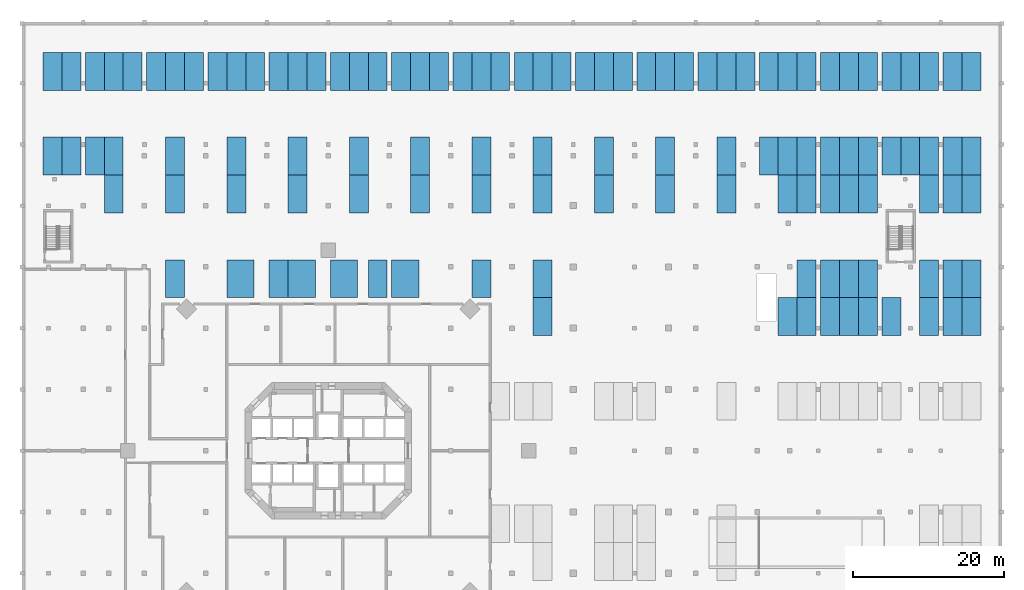
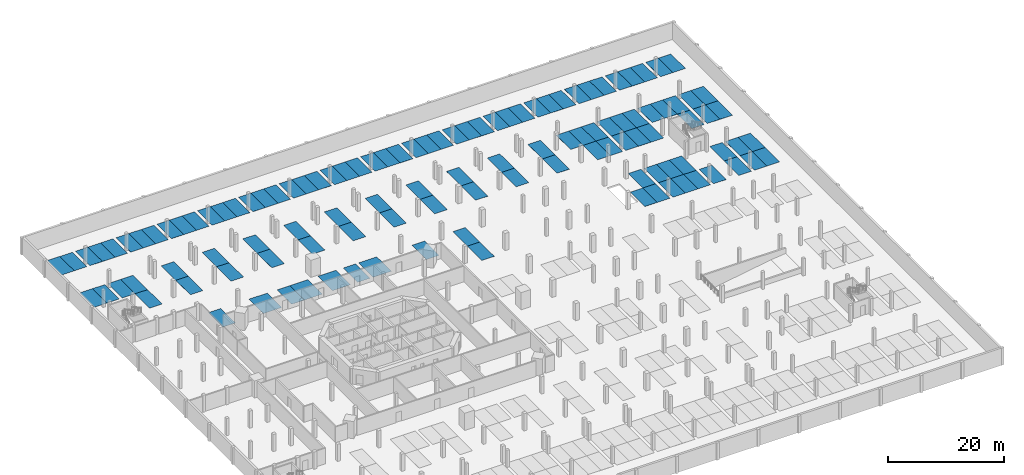
# One storey, part 13 of 14: 116 discrete accessories.
"""IFC4 building model written with IfcOpenShell, lengths in metres."""

from ifc_helpers import new_model, si_unit, direction, frame, origin, origin_2d, place, context, subcontext, project, spatial, rectangle, extrude, element, save


model = new_model("IFC4")

# Units and contexts
model_context = context("Model", 3, precision=1e-05, world=origin(), true_north=direction((0.0, 1.0)))
body_context = subcontext(model_context, "Body", "Model", "MODEL_VIEW")
ifc_project = project(units=[si_unit("LENGTHUNIT", "METRE"), si_unit("AREAUNIT", "SQUARE_METRE"), si_unit("VOLUMEUNIT", "CUBIC_METRE"), si_unit("PLANEANGLEUNIT", "RADIAN"), si_unit("MASSUNIT", "GRAM", prefix="KILO")], contexts=[model_context])

# Site, building, storey
site_placement = place(None, origin())
site = spatial("IfcSite", under=ifc_project, at=site_placement, CompositionType="ELEMENT")
building_placement = place(site_placement, origin())
building = spatial("IfcBuilding", under=site, at=building_placement, Name="Torre Triforio", CompositionType="ELEMENT")
storey_placement = place(building_placement, frame((0.0, 0.0, -7.199951171875)))
storey = spatial("IfcBuildingStorey", under=building, at=storey_placement, Name="B2", CompositionType="ELEMENT", Elevation=-7.199951171875)

# Discrete accessories
discrete_accessory_1_placement = place(storey_placement, frame((-20.25, 22.75, 0.0), z_axis=(0.0, 0.0, 1.0), x_axis=(1.0, 0.0, 0.0)))
element("IfcDiscreteAccessory", 1, at=discrete_accessory_1_placement, inside=storey, Name="Parking bay marking B2-E-01", PredefinedType="NOTDEFINED", context=body_context, shape_type="SweptSolid", body=[
    extrude(rectangle(XDim=2.5, YDim=5.0, at=origin_2d()), origin(), (0.0, 0.0, 1.0), 0.0048828125),
])
discrete_accessory_2_placement = place(storey_placement, frame((-11.60009765625, 22.75, 0.0), z_axis=(0.0, 0.0, 1.0), x_axis=(1.0, 0.0, 0.0)))
element("IfcDiscreteAccessory", 2, at=discrete_accessory_2_placement, inside=storey, Name="Accessible parking bay marking B2-E-02", PredefinedType="NOTDEFINED", context=body_context, shape_type="SweptSolid", body=[
    extrude(rectangle(XDim=3.60009765625, YDim=5.0, at=origin_2d()), origin(), (0.0, 0.0, 1.0), 0.0048828125),
])
for number, where, z_axis, x_axis, name in (
    (3, (-28.35009765625, 33.949951171875, 0.0), (0.0, 0.0, 1.0), (1.0, 0.0, 0.0), "Parking bay marking B2-E-03"),
    (4, (-20.25, 33.949951171875, 0.0), (0.0, 0.0, 1.0), (1.0, 0.0, 0.0), "Parking bay marking B2-E-04"),
    (5, (-12.14990234375, 33.949951171875, 0.0), (0.0, 0.0, 1.0), (1.0, 0.0, 0.0), "Parking bay marking B2-E-05"),
    (6, (-36.449951171875, 38.949951171875, 0.0), (0.0, 0.0, 1.0), (1.0, 0.0, 0.0), "Parking bay marking B2-E-06"),
    (7, (-33.949951171875, 38.949951171875, 0.0), (0.0, 0.0, 1.0), (1.0, 0.0, 0.0), "Parking bay marking B2-E-07"),
    (8, (-30.85009765625, 38.949951171875, 0.0), (0.0, 0.0, 1.0), (1.0, 0.0, 0.0), "Parking bay marking B2-E-08"),
    (9, (-28.35009765625, 38.949951171875, 0.0), (0.0, 0.0, 1.0), (1.0, 0.0, 0.0), "Parking bay marking B2-E-09"),
    (10, (-20.25, 38.949951171875, 0.0), (0.0, 0.0, 1.0), (1.0, 0.0, 0.0), "Parking bay marking B2-E-10"),
    (11, (-12.14990234375, 38.949951171875, 0.0), (0.0, 0.0, 1.0), (1.0, 0.0, 0.0), "Parking bay marking B2-E-11"),
    (12, (-36.449951171875, 50.14990234375, 0.0), (0.0, 0.0, 1.0), (1.0, 0.0, 0.0), "Parking bay marking B2-E-12"),
    (13, (-33.949951171875, 50.14990234375, 0.0), (0.0, 0.0, 1.0), (1.0, 0.0, 0.0), "Parking bay marking B2-E-13"),
    (14, (-30.85009765625, 50.14990234375, 0.0), (0.0, 0.0, 1.0), (1.0, 0.0, 0.0), "Parking bay marking B2-E-14"),
    (15, (-28.35009765625, 50.14990234375, 0.0), (0.0, 0.0, 1.0), (1.0, 0.0, 0.0), "Parking bay marking B2-E-15"),
    (16, (-25.85009765625, 50.14990234375, 0.0), (0.0, 0.0, 1.0), (1.0, 0.0, 0.0), "Parking bay marking B2-E-16"),
    (17, (-22.75, 50.14990234375, 0.0), (0.0, 0.0, 1.0), (1.0, 0.0, 0.0), "Parking bay marking B2-E-17"),
    (18, (-20.25, 50.14990234375, 0.0), (0.0, 0.0, 1.0), (1.0, 0.0, 0.0), "Parking bay marking B2-E-18"),
    (19, (-17.75, 50.14990234375, 0.0), (0.0, 0.0, 1.0), (1.0, 0.0, 0.0), "Parking bay marking B2-E-19"),
    (20, (-14.64990234375, 50.14990234375, 0.0), (0.0, 0.0, 1.0), (1.0, 0.0, 0.0), "Parking bay marking B2-E-20"),
    (21, (-12.14990234375, 50.14990234375, 0.0), (0.0, 0.0, 1.0), (1.0, 0.0, 0.0), "Parking bay marking B2-E-21"),
    (22, (-9.64990234375, 50.14990234375, 0.0), (0.0, 0.0, 1.0), (1.0, 0.0, 0.0), "Parking bay marking B2-E-22"),
    (23, (-6.550048828125, 22.75, 0.0), (0.0, 0.0, 1.0), (1.0, 0.0, 0.0), "Parking bay marking B2-F-02"),
):
    element("IfcDiscreteAccessory", number, at=place(storey_placement, frame(where, z_axis=z_axis, x_axis=x_axis)), inside=storey, Name=name, PredefinedType="NOTDEFINED", context=body_context, shape_type="SweptSolid", body=[
        extrude(rectangle(XDim=2.5, YDim=5.0, at=origin_2d()), origin(), (0.0, 0.0, 1.0), 0.0048828125),
    ])
for number, where, z_axis, x_axis, name in (
    (24, (-3.5, 22.75, 0.0), (0.0, 0.0, 1.0), (1.0, 0.0, 0.0), "Accessible parking bay marking B2-F-03"),
    (25, (2.10009765625, 22.75, 0.0), (0.0, 0.0, 1.0), (1.0, 0.0, 0.0), "Accessible parking bay marking B2-F-04"),
):
    element("IfcDiscreteAccessory", number, at=place(storey_placement, frame(where, z_axis=z_axis, x_axis=x_axis)), inside=storey, Name=name, PredefinedType="NOTDEFINED", context=body_context, shape_type="SweptSolid", body=[
        extrude(rectangle(XDim=3.60009765625, YDim=5.0, at=origin_2d()), origin(), (0.0, 0.0, 1.0), 0.0048828125),
    ])
discrete_accessory_3_placement = place(storey_placement, frame((6.550048828125, 22.75, 0.0), z_axis=(0.0, 0.0, 1.0), x_axis=(1.0, 0.0, 0.0)))
element("IfcDiscreteAccessory", 26, at=discrete_accessory_3_placement, inside=storey, Name="Parking bay marking B2-F-05", PredefinedType="NOTDEFINED", context=body_context, shape_type="SweptSolid", body=[
    extrude(rectangle(XDim=2.5, YDim=5.0, at=origin_2d()), origin(), (0.0, 0.0, 1.0), 0.0048828125),
])
discrete_accessory_4_placement = place(storey_placement, frame((10.199951171875, 22.75, 0.0), z_axis=(0.0, 0.0, 1.0), x_axis=(1.0, 0.0, 0.0)))
element("IfcDiscreteAccessory", 27, at=discrete_accessory_4_placement, inside=storey, Name="Accessible parking bay marking B2-F-06", PredefinedType="NOTDEFINED", context=body_context, shape_type="SweptSolid", body=[
    extrude(rectangle(XDim=3.60009765625, YDim=5.0, at=origin_2d()), origin(), (0.0, 0.0, 1.0), 0.0048828125),
])
for number, where, z_axis, x_axis, name in (
    (28, (20.25, 22.75, 0.0), (0.0, 0.0, 1.0), (1.0, 0.0, 0.0), "Parking bay marking B2-F-07"),
    (29, (-4.050048828125, 33.949951171875, 0.0), (0.0, 0.0, 1.0), (1.0, 0.0, 0.0), "Parking bay marking B2-F-08"),
    (30, (4.050048828125, 33.949951171875, 0.0), (0.0, 0.0, 1.0), (1.0, 0.0, 0.0), "Parking bay marking B2-F-09"),
    (31, (12.14990234375, 33.949951171875, 0.0), (0.0, 0.0, 1.0), (1.0, 0.0, 0.0), "Parking bay marking B2-F-10"),
    (32, (20.25, 33.949951171875, 0.0), (0.0, 0.0, 1.0), (1.0, 0.0, 0.0), "Parking bay marking B2-F-11"),
    (33, (-4.050048828125, 38.949951171875, 0.0), (0.0, 0.0, 1.0), (1.0, 0.0, 0.0), "Parking bay marking B2-F-12"),
    (34, (4.050048828125, 38.949951171875, 0.0), (0.0, 0.0, 1.0), (1.0, 0.0, 0.0), "Parking bay marking B2-F-13"),
    (35, (12.14990234375, 38.949951171875, 0.0), (0.0, 0.0, 1.0), (1.0, 0.0, 0.0), "Parking bay marking B2-F-14"),
    (36, (20.25, 38.949951171875, 0.0), (0.0, 0.0, 1.0), (1.0, 0.0, 0.0), "Parking bay marking B2-F-15"),
    (37, (-6.550048828125, 50.14990234375, 0.0), (0.0, 0.0, 1.0), (1.0, 0.0, 0.0), "Parking bay marking B2-F-16"),
    (38, (-4.050048828125, 50.14990234375, 0.0), (0.0, 0.0, 1.0), (1.0, 0.0, 0.0), "Parking bay marking B2-F-17"),
    (39, (-1.550048828125, 50.14990234375, 0.0), (0.0, 0.0, 1.0), (1.0, 0.0, 0.0), "Parking bay marking B2-F-18"),
    (40, (1.550048828125, 50.14990234375, 0.0), (0.0, 0.0, 1.0), (1.0, 0.0, 0.0), "Parking bay marking B2-F-19"),
    (41, (4.050048828125, 50.14990234375, 0.0), (0.0, 0.0, 1.0), (1.0, 0.0, 0.0), "Parking bay marking B2-F-20"),
    (42, (6.550048828125, 50.14990234375, 0.0), (0.0, 0.0, 1.0), (1.0, 0.0, 0.0), "Parking bay marking B2-F-21"),
    (43, (9.64990234375, 50.14990234375, 0.0), (0.0, 0.0, 1.0), (1.0, 0.0, 0.0), "Parking bay marking B2-F-22"),
    (44, (12.14990234375, 50.14990234375, 0.0), (0.0, 0.0, 1.0), (1.0, 0.0, 0.0), "Parking bay marking B2-F-23"),
    (45, (14.64990234375, 50.14990234375, 0.0), (0.0, 0.0, 1.0), (1.0, 0.0, 0.0), "Parking bay marking B2-F-24"),
    (46, (17.75, 50.14990234375, 0.0), (0.0, 0.0, 1.0), (1.0, 0.0, 0.0), "Parking bay marking B2-F-25"),
    (47, (20.25, 50.14990234375, 0.0), (0.0, 0.0, 1.0), (1.0, 0.0, 0.0), "Parking bay marking B2-F-26"),
    (48, (22.75, 50.14990234375, 0.0), (0.0, 0.0, 1.0), (1.0, 0.0, 0.0), "Parking bay marking B2-F-27"),
    (49, (28.35009765625, 17.75, 0.0), (0.0, 0.0, 1.0), (1.0, 0.0, 0.0), "Parking bay marking B2-G-07"),
    (50, (28.35009765625, 22.75, 0.0), (0.0, 0.0, 1.0), (1.0, 0.0, 0.0), "Parking bay marking B2-G-08"),
    (51, (28.35009765625, 33.949951171875, 0.0), (0.0, 0.0, 1.0), (1.0, 0.0, 0.0), "Parking bay marking B2-G-09"),
    (52, (36.449951171875, 33.949951171875, 0.0), (0.0, 0.0, 1.0), (1.0, 0.0, 0.0), "Parking bay marking B2-G-10"),
    (53, (44.550048828125, 33.949951171875, 0.0), (0.0, 0.0, 1.0), (1.0, 0.0, 0.0), "Parking bay marking B2-G-11"),
    (54, (52.64990234375, 33.949951171875, 0.0), (0.0, 0.0, 1.0), (1.0, 0.0, 0.0), "Parking bay marking B2-G-12"),
    (55, (28.35009765625, 38.949951171875, 0.0), (0.0, 0.0, 1.0), (1.0, 0.0, 0.0), "Parking bay marking B2-G-13"),
    (56, (36.449951171875, 38.949951171875, 0.0), (0.0, 0.0, 1.0), (1.0, 0.0, 0.0), "Parking bay marking B2-G-14"),
    (57, (44.550048828125, 38.949951171875, 0.0), (0.0, 0.0, 1.0), (1.0, 0.0, 0.0), "Parking bay marking B2-G-15"),
    (58, (52.64990234375, 38.949951171875, 0.0), (0.0, 0.0, 1.0), (1.0, 0.0, 0.0), "Parking bay marking B2-G-16"),
    (59, (25.85009765625, 50.14990234375, 0.0), (0.0, 0.0, 1.0), (1.0, 0.0, 0.0), "Parking bay marking B2-G-17"),
    (60, (28.35009765625, 50.14990234375, 0.0), (0.0, 0.0, 1.0), (1.0, 0.0, 0.0), "Parking bay marking B2-G-18"),
    (61, (30.85009765625, 50.14990234375, 0.0), (0.0, 0.0, 1.0), (1.0, 0.0, 0.0), "Parking bay marking B2-G-19"),
    (62, (33.949951171875, 50.14990234375, 0.0), (0.0, 0.0, 1.0), (1.0, 0.0, 0.0), "Parking bay marking B2-G-20"),
    (63, (36.449951171875, 50.14990234375, 0.0), (0.0, 0.0, 1.0), (1.0, 0.0, 0.0), "Parking bay marking B2-G-21"),
    (64, (38.949951171875, 50.14990234375, 0.0), (0.0, 0.0, 1.0), (1.0, 0.0, 0.0), "Parking bay marking B2-G-22"),
    (65, (42.050048828125, 50.14990234375, 0.0), (0.0, 0.0, 1.0), (1.0, 0.0, 0.0), "Parking bay marking B2-G-23"),
    (66, (44.550048828125, 50.14990234375, 0.0), (0.0, 0.0, 1.0), (1.0, 0.0, 0.0), "Parking bay marking B2-G-24"),
    (67, (47.050048828125, 50.14990234375, 0.0), (0.0, 0.0, 1.0), (1.0, 0.0, 0.0), "Parking bay marking B2-G-25"),
    (68, (50.14990234375, 50.14990234375, 0.0), (0.0, 0.0, 1.0), (1.0, 0.0, 0.0), "Parking bay marking B2-G-26"),
    (69, (52.64990234375, 50.14990234375, 0.0), (0.0, 0.0, 1.0), (1.0, 0.0, 0.0), "Parking bay marking B2-G-27"),
    (70, (55.14990234375, 50.14990234375, 0.0), (0.0, 0.0, 1.0), (1.0, 0.0, 0.0), "Parking bay marking B2-G-28"),
    (71, (60.75, 17.75, 0.0), (0.0, 0.0, 1.0), (1.0, 0.0, 0.0), "Parking bay marking B2-H-10"),
    (72, (63.25, 17.75, 0.0), (0.0, 0.0, 1.0), (1.0, 0.0, 0.0), "Parking bay marking B2-H-11"),
    (73, (66.35009765625, 17.75, 0.0), (0.0, 0.0, 1.0), (1.0, 0.0, 0.0), "Parking bay marking B2-H-12"),
    (74, (68.85009765625, 17.75, 0.0), (0.0, 0.0, 1.0), (1.0, 0.0, 0.0), "Parking bay marking B2-H-13"),
    (75, (71.35009765625, 17.75, 0.0), (0.0, 0.0, 1.0), (1.0, 0.0, 0.0), "Parking bay marking B2-H-14"),
    (76, (74.449951171875, 17.75, 0.0), (0.0, 0.0, 1.0), (1.0, 0.0, 0.0), "Parking bay marking B2-H-15"),
    (77, (79.449951171875, 17.75, 0.0), (0.0, 0.0, 1.0), (1.0, 0.0, 0.0), "Parking bay marking B2-H-16"),
    (78, (82.550048828125, 17.75, 0.0), (0.0, 0.0, 1.0), (1.0, 0.0, 0.0), "Parking bay marking B2-H-17"),
    (79, (85.050048828125, 17.75, 0.0), (0.0, 0.0, 1.0), (1.0, 0.0, 0.0), "Parking bay marking B2-H-18"),
    (80, (63.25, 22.75, 0.0), (0.0, 0.0, 1.0), (1.0, 0.0, 0.0), "Parking bay marking B2-H-19"),
    (81, (66.35009765625, 22.75, 0.0), (0.0, 0.0, 1.0), (1.0, 0.0, 0.0), "Parking bay marking B2-H-20"),
    (82, (68.85009765625, 22.75, 0.0), (0.0, 0.0, 1.0), (1.0, 0.0, 0.0), "Parking bay marking B2-H-21"),
    (83, (71.35009765625, 22.75, 0.0), (0.0, 0.0, 1.0), (1.0, 0.0, 0.0), "Parking bay marking B2-H-22"),
    (84, (79.449951171875, 22.75, 0.0), (0.0, 0.0, 1.0), (1.0, 0.0, 0.0), "Parking bay marking B2-H-23"),
    (85, (82.550048828125, 22.75, 0.0), (0.0, 0.0, 1.0), (1.0, 0.0, 0.0), "Parking bay marking B2-H-24"),
    (86, (85.050048828125, 22.75, 0.0), (0.0, 0.0, 1.0), (1.0, 0.0, 0.0), "Parking bay marking B2-H-25"),
    (87, (60.75, 33.949951171875, 0.0), (0.0, 0.0, 1.0), (1.0, 0.0, 0.0), "Parking bay marking B2-H-26"),
    (88, (63.25, 33.949951171875, 0.0), (0.0, 0.0, 1.0), (1.0, 0.0, 0.0), "Parking bay marking B2-H-27"),
    (89, (66.35009765625, 33.949951171875, 0.0), (0.0, 0.0, 1.0), (1.0, 0.0, 0.0), "Parking bay marking B2-H-28"),
    (90, (68.85009765625, 33.949951171875, 0.0), (0.0, 0.0, 1.0), (1.0, 0.0, 0.0), "Parking bay marking B2-H-29"),
    (91, (71.35009765625, 33.949951171875, 0.0), (0.0, 0.0, 1.0), (1.0, 0.0, 0.0), "Parking bay marking B2-H-30"),
    (92, (79.449951171875, 33.949951171875, 0.0), (0.0, 0.0, 1.0), (1.0, 0.0, 0.0), "Parking bay marking B2-H-31"),
    (93, (82.550048828125, 33.949951171875, 0.0), (0.0, 0.0, 1.0), (1.0, 0.0, 0.0), "Parking bay marking B2-H-32"),
    (94, (85.050048828125, 33.949951171875, 0.0), (0.0, 0.0, 1.0), (1.0, 0.0, 0.0), "Parking bay marking B2-H-33"),
    (95, (58.25, 38.949951171875, 0.0), (0.0, 0.0, 1.0), (1.0, 0.0, 0.0), "Parking bay marking B2-H-34"),
    (96, (60.75, 38.949951171875, 0.0), (0.0, 0.0, 1.0), (1.0, 0.0, 0.0), "Parking bay marking B2-H-35"),
    (97, (63.25, 38.949951171875, 0.0), (0.0, 0.0, 1.0), (1.0, 0.0, 0.0), "Parking bay marking B2-H-36"),
    (98, (66.35009765625, 38.949951171875, 0.0), (0.0, 0.0, 1.0), (1.0, 0.0, 0.0), "Parking bay marking B2-H-37"),
    (99, (68.85009765625, 38.949951171875, 0.0), (0.0, 0.0, 1.0), (1.0, 0.0, 0.0), "Parking bay marking B2-H-38"),
    (100, (71.35009765625, 38.949951171875, 0.0), (0.0, 0.0, 1.0), (1.0, 0.0, 0.0), "Parking bay marking B2-H-39"),
    (101, (74.449951171875, 38.949951171875, 0.0), (0.0, 0.0, 1.0), (1.0, 0.0, 0.0), "Parking bay marking B2-H-40"),
    (102, (76.949951171875, 38.949951171875, 0.0), (0.0, 0.0, 1.0), (1.0, 0.0, 0.0), "Parking bay marking B2-H-41"),
    (103, (79.449951171875, 38.949951171875, 0.0), (0.0, 0.0, 1.0), (1.0, 0.0, 0.0), "Parking bay marking B2-H-42"),
    (104, (82.550048828125, 38.949951171875, 0.0), (0.0, 0.0, 1.0), (1.0, 0.0, 0.0), "Parking bay marking B2-H-43"),
    (105, (85.050048828125, 38.949951171875, 0.0), (0.0, 0.0, 1.0), (1.0, 0.0, 0.0), "Parking bay marking B2-H-44"),
    (106, (58.25, 50.14990234375, 0.0), (0.0, 0.0, 1.0), (1.0, 0.0, 0.0), "Parking bay marking B2-H-45"),
    (107, (60.75, 50.14990234375, 0.0), (0.0, 0.0, 1.0), (1.0, 0.0, 0.0), "Parking bay marking B2-H-46"),
    (108, (63.25, 50.14990234375, 0.0), (0.0, 0.0, 1.0), (1.0, 0.0, 0.0), "Parking bay marking B2-H-47"),
    (109, (66.35009765625, 50.14990234375, 0.0), (0.0, 0.0, 1.0), (1.0, 0.0, 0.0), "Parking bay marking B2-H-48"),
    (110, (68.85009765625, 50.14990234375, 0.0), (0.0, 0.0, 1.0), (1.0, 0.0, 0.0), "Parking bay marking B2-H-49"),
    (111, (71.35009765625, 50.14990234375, 0.0), (0.0, 0.0, 1.0), (1.0, 0.0, 0.0), "Parking bay marking B2-H-50"),
    (112, (74.449951171875, 50.14990234375, 0.0), (0.0, 0.0, 1.0), (1.0, 0.0, 0.0), "Parking bay marking B2-H-51"),
    (113, (76.949951171875, 50.14990234375, 0.0), (0.0, 0.0, 1.0), (1.0, 0.0, 0.0), "Parking bay marking B2-H-52"),
    (114, (79.449951171875, 50.14990234375, 0.0), (0.0, 0.0, 1.0), (1.0, 0.0, 0.0), "Parking bay marking B2-H-53"),
    (115, (82.550048828125, 50.14990234375, 0.0), (0.0, 0.0, 1.0), (1.0, 0.0, 0.0), "Parking bay marking B2-H-54"),
    (116, (85.050048828125, 50.14990234375, 0.0), (0.0, 0.0, 1.0), (1.0, 0.0, 0.0), "Parking bay marking B2-H-55"),
):
    element("IfcDiscreteAccessory", number, at=place(storey_placement, frame(where, z_axis=z_axis, x_axis=x_axis)), inside=storey, Name=name, PredefinedType="NOTDEFINED", context=body_context, shape_type="SweptSolid", body=[
        extrude(rectangle(XDim=2.5, YDim=5.0, at=origin_2d()), origin(), (0.0, 0.0, 1.0), 0.0048828125),
    ])

save(model, "model.ifc")
